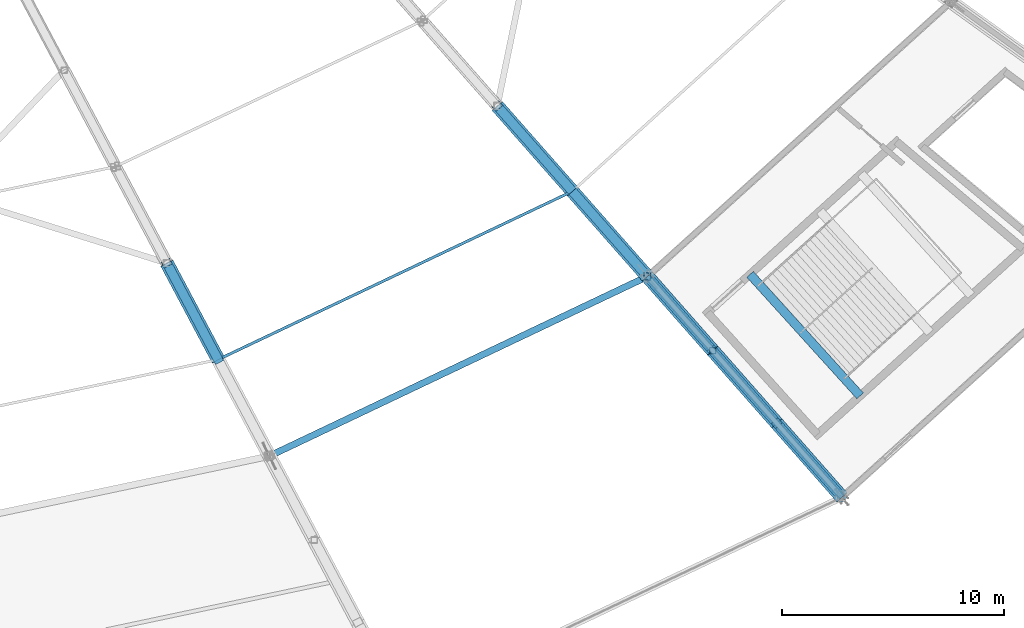
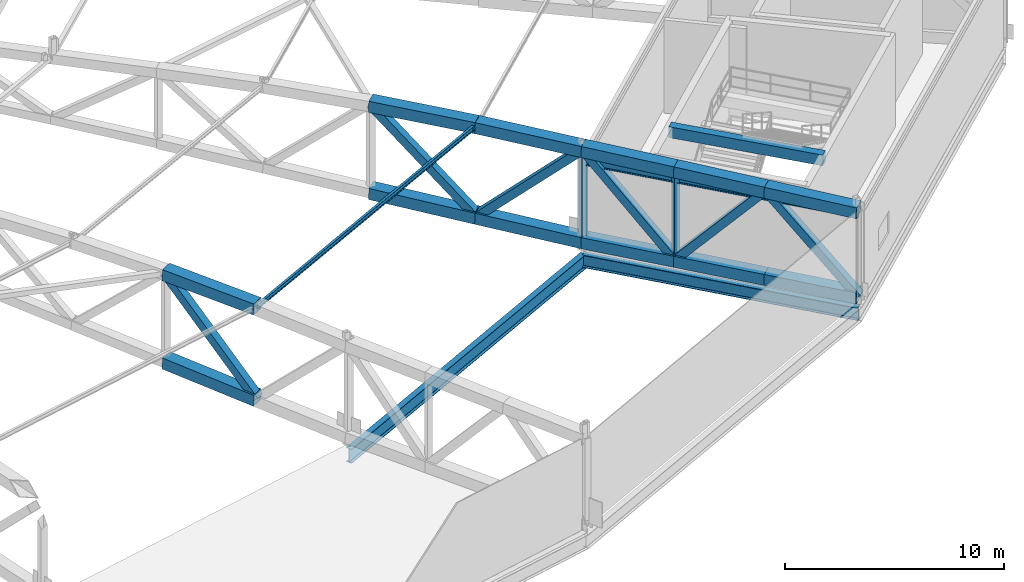
# One storey, part 48 of 162: 21 members, 4 beams.
"""IFC4 building model written with IfcOpenShell, lengths in metres."""

from ifc_helpers import new_model, si_unit, direction, frame, origin, origin_2d, place, context, subcontext, project, spatial, rectangle, hollow_rectangle, i_section, extrude, material, material_profile, profile_set, type_object, element, save


model = new_model("IFC4")

# Units and contexts
model_context = context("Model", 3, precision=1e-05, world=origin(), true_north=direction((0.0, 1.0)))
body_context = subcontext(model_context, "Body", "Model", "MODEL_VIEW")
ifc_project = project(units=[si_unit("LENGTHUNIT", "METRE"), si_unit("AREAUNIT", "SQUARE_METRE"), si_unit("VOLUMEUNIT", "CUBIC_METRE"), si_unit("PLANEANGLEUNIT", "RADIAN"), si_unit("MASSUNIT", "GRAM", prefix="KILO")], contexts=[model_context])

# Site, building, storey
site_placement = place(None, origin())
site = spatial("IfcSite", under=ifc_project, at=site_placement, CompositionType="ELEMENT")
building_placement = place(site_placement, origin())
building = spatial("IfcBuilding", under=site, at=building_placement, Name="Kazemori Nagisa Stadium", CompositionType="ELEMENT")
storey_placement = place(building_placement, frame((0.0, 0.0, 36.719970703125)))
storey = spatial("IfcBuildingStorey", under=building, at=storey_placement, Name="RF", CompositionType="ELEMENT", Elevation=36.719970703125)

# Beams
ifc_material_1 = material(Name="Steel SN490B", Category="steel")
ifc_material_profile_1 = material_profile(ifc_material_1, i_section(OverallWidth=0.199951171875, OverallDepth=0.5, WebThickness=0.010009765625, FlangeThickness=0.01611328125, FilletRadius=0.012939453125, at=origin_2d()), Name="H-500x200x10x16")
ifc_profile_set_1 = profile_set([ifc_material_profile_1], Name="Steel SN490B")
beam_type_1 = type_object("IfcBeamType", Name="Beam_BG-H500", PredefinedType="BEAM", material=ifc_profile_set_1)
beam_1_placement = place(storey_placement, frame((176.834228515625, 40.88916015625, 4.93994140625), z_axis=(0.661019680997, -0.750368563664, 0.0), x_axis=(0.750368563664, 0.661019680997, 0.0)))
element("IfcBeam", 1, at=beam_1_placement, inside=storey, type_object=beam_type_1, Name="Headhouse roof beam BG-H500 B25-radL", PredefinedType="BEAM", context=body_context, shape_type="SweptSolid", body=[
    extrude(i_section(OverallWidth=0.199951171875, OverallDepth=0.5, WebThickness=0.010009765625, FlangeThickness=0.01611328125, FilletRadius=0.012939453125, at=origin_2d()), origin(), (0.0, 0.0, 1.0), 13.2578125),
])
ifc_material_profile_2 = material_profile(ifc_material_1, i_section(OverallWidth=0.300048828125, OverallDepth=0.699951171875, WebThickness=0.012939453125, FlangeThickness=0.02392578125, FilletRadius=0.01806640625, at=origin_2d()), Name="H-700x300x13x24")
ifc_profile_set_2 = profile_set([ifc_material_profile_2], Name="Steel SN490B")
beam_type_2 = type_object("IfcBeamType", Name="Beam_BG-H700", PredefinedType="BEAM", material=ifc_profile_set_2)
beam_2_placement = place(storey_placement, frame((176.834228515625, 40.88916015625, -0.6298828125), z_axis=(0.661019680997, -0.750368563664, 0.0), x_axis=(0.750368563664, 0.661019680997, 0.0)))
element("IfcBeam", 2, at=beam_2_placement, inside=storey, type_object=beam_type_2, Name="Radial girder BG-H700 RF R2-R3-25", PredefinedType="BEAM", context=body_context, shape_type="SweptSolid", body=[
    extrude(i_section(OverallWidth=0.300048828125, OverallDepth=0.699951171875, WebThickness=0.012939453125, FlangeThickness=0.02392578125, FilletRadius=0.01806640625, at=origin_2d()), origin(), (0.0, 0.0, 1.0), 13.2578125),
])
ifc_material_profile_3 = material_profile(ifc_material_1, i_section(OverallWidth=0.300048828125, OverallDepth=0.800048828125, WebThickness=0.013916015625, FlangeThickness=0.02587890625, FilletRadius=0.01806640625, at=origin_2d()), Name="H-800x300x14x26")
ifc_profile_set_3 = profile_set([ifc_material_profile_3], Name="Steel SN490B")
beam_type_3 = type_object("IfcBeamType", Name="Beam_BG-H800", PredefinedType="BEAM", material=ifc_profile_set_3)
beam_3_placement = place(storey_placement, frame((159.81201171875, 32.80078125, -0.679931640625), z_axis=(0.90321938295, 0.42917915404, 0.0), x_axis=(-0.42917915404, 0.90321938295, 0.0)))
element("IfcBeam", 3, at=beam_3_placement, inside=storey, type_object=beam_type_3, Name="Ring girder BG-H800 RF R2-24", PredefinedType="BEAM", context=body_context, shape_type="SweptSolid", body=[
    extrude(i_section(OverallWidth=0.300048828125, OverallDepth=0.800048828125, WebThickness=0.013916015625, FlangeThickness=0.02587890625, FilletRadius=0.01806640625, at=origin_2d()), origin(), (0.0, 0.0, 1.0), 18.84619140625),
])
ifc_material_2 = material(Name="Concrete C40/50 (Fc42)", Category="concrete")
ifc_material_profile_4 = material_profile(ifc_material_2, rectangle(XDim=0.39990234375, YDim=0.60009765625, at=origin_2d()), Name="RC-BM-400x600")
ifc_profile_set_4 = profile_set([ifc_material_profile_4], Name="Concrete C40/50 (Fc42)")
beam_type_4 = type_object("IfcBeamType", Name="Beam_BG-LND400X600", PredefinedType="BEAM", material=ifc_profile_set_4)
beam_4_placement = place(storey_placement, frame((181.456787109375, 40.98681640625, 4.919921875), z_axis=(0.671113236271, -0.74135485707, 0.0), x_axis=(0.74135485707, 0.671113236271, 0.0)))
element("IfcBeam", 4, at=beam_4_placement, inside=storey, type_object=beam_type_4, Name="Core stair arrival header girder ST04-RF", PredefinedType="BEAM", context=body_context, shape_type="SweptSolid", body=[
    extrude(rectangle(XDim=0.39990234375, YDim=0.60009765625, at=origin_2d()), origin(), (0.0, 0.0, 1.0), 7.385986328125),
])

# Members
ifc_material_3 = material(Name="Steel STKR490", Category="steel")
ifc_material_profile_5 = material_profile(ifc_material_3, hollow_rectangle(XDim=0.419921875, YDim=0.419921875, WallThickness=0.01611328125, at=origin_2d()), Name="SHS-420x420x16")
ifc_profile_set_5 = profile_set([ifc_material_profile_5], Name="Steel STKR490")
member_type_1 = type_object("IfcMemberType", Name="Member_TB-SHS420", PredefinedType="BRACE", material=ifc_profile_set_5)
member_1_placement = place(storey_placement, frame((157.50048828125, 37.145751953125, 0.717041015625), z_axis=(-0.323663105371, 0.60848800564, 0.724558169655), x_axis=(-0.882872826789, -0.469612150309, 0.0)))
element("IfcMember", 5, at=member_1_placement, inside=storey, type_object=member_type_1, Name="Roof space truss diagonal RT-24-5", PredefinedType="BRACE", context=body_context, shape_type="SweptSolid", body=[
    extrude(hollow_rectangle(XDim=0.419921875, YDim=0.419921875, WallThickness=0.01611328125, at=origin_2d()), origin(), (0.0, 0.0, 1.0), 7.14111328125),
])
member_2_placement = place(storey_placement, frame((185.597900390625, 30.94091796875, 0.360107421875), z_axis=(-0.444455255531, 0.50453471875, 0.740205541324), x_axis=(-0.750370654853, -0.661017307137, 0.0)))
element("IfcMember", 6, at=member_2_placement, inside=storey, type_object=member_type_1, Name="Roof space truss diagonal RT-25-1", PredefinedType="BRACE", context=body_context, shape_type="SweptSolid", body=[
    extrude(hollow_rectangle(XDim=0.419921875, YDim=0.419921875, WallThickness=0.01611328125, at=origin_2d()), origin(), (0.0, 0.0, 1.0), 6.61962890625),
])
member_3_placement = place(storey_placement, frame((182.65576171875, 34.28076171875, 5.260009765625), z_axis=(-0.443198776891, 0.503136206867, -0.741908890297), x_axis=(-0.750388778691, -0.660996732832, 0.0)))
element("IfcMember", 7, at=member_3_placement, inside=storey, type_object=member_type_1, Name="Roof space truss diagonal RT-25-2", PredefinedType="BRACE", context=body_context, shape_type="SweptSolid", body=[
    extrude(hollow_rectangle(XDim=0.419921875, YDim=0.419921875, WallThickness=0.01611328125, at=origin_2d()), origin(), (0.0, 0.0, 1.0), 6.496826171875),
])
member_4_placement = place(storey_placement, frame((179.7763671875, 37.549560546875, 0.43994140625), z_axis=(-0.43367823745, 0.492264924909, 0.754717450485), x_axis=(-0.750346686278, -0.661044514682, 0.0)))
element("IfcMember", 8, at=member_4_placement, inside=storey, type_object=member_type_1, Name="Roof space truss diagonal RT-25-3", PredefinedType="BRACE", context=body_context, shape_type="SweptSolid", body=[
    extrude(hollow_rectangle(XDim=0.419921875, YDim=0.419921875, WallThickness=0.01611328125, at=origin_2d()), origin(), (0.0, 0.0, 1.0), 6.7841796875),
])
member_5_placement = place(storey_placement, frame((176.834228515625, 40.88916015625, 5.56005859375), z_axis=(-0.479053182072, 0.54382189194, -0.689032509097), x_axis=(-0.750378163683, -0.661008783201, 0.0)))
element("IfcMember", 9, at=member_5_placement, inside=storey, type_object=member_type_1, Name="Roof space truss diagonal RT-25-4", PredefinedType="BRACE", context=body_context, shape_type="SweptSolid", body=[
    extrude(hollow_rectangle(XDim=0.419921875, YDim=0.419921875, WallThickness=0.01611328125, at=origin_2d()), origin(), (0.0, 0.0, 1.0), 7.056396484375),
])
member_6_placement = place(storey_placement, frame((173.453857421875, 44.7265625, 0.697998046875), z_axis=(-0.468522650093, 0.531872191514, 0.705406619082), x_axis=(-0.750380984059, -0.661005581491, 0.0)))
element("IfcMember", 10, at=member_6_placement, inside=storey, type_object=member_type_1, Name="Roof space truss diagonal RT-25-5", PredefinedType="BRACE", context=body_context, shape_type="SweptSolid", body=[
    extrude(hollow_rectangle(XDim=0.419921875, YDim=0.419921875, WallThickness=0.01611328125, at=origin_2d()), origin(), (0.0, 0.0, 1.0), 7.21435546875),
])
ifc_material_profile_6 = material_profile(ifc_material_3, hollow_rectangle(XDim=0.6201171875, YDim=0.6201171875, WallThickness=0.02197265625, at=origin_2d()), Name="SHS-620x620x22")
ifc_profile_set_6 = profile_set([ifc_material_profile_6], Name="Steel STKR490")
member_type_2 = type_object("IfcMemberType", Name="Member_TC-SHS620", PredefinedType="CHORD", material=ifc_profile_set_6)
member_7_placement = place(storey_placement, frame((157.50048828125, 37.145751953125, 5.800048828125), z_axis=(-0.469531784857, 0.882721739398, 0.018499562243), x_axis=(-0.882872826789, -0.469612150309, 0.0)))
element("IfcMember", 11, at=member_7_placement, inside=storey, type_object=member_type_2, Name="Roof space truss top chord RT-24-5", PredefinedType="CHORD", context=body_context, shape_type="SweptSolid", body=[
    extrude(hollow_rectangle(XDim=0.6201171875, YDim=0.6201171875, WallThickness=0.02197265625, at=origin_2d()), origin(), (0.0, 0.0, 1.0), 4.922607421875),
])
member_8_placement = place(storey_placement, frame((157.50048828125, 37.145751953125, 0.717041015625), z_axis=(-0.468977647819, 0.881679959427, 0.05196551733), x_axis=(-0.882872826789, -0.469612150309, 0.0)))
element("IfcMember", 12, at=member_8_placement, inside=storey, type_object=member_type_2, Name="Roof space truss bottom chord RT-24-5", PredefinedType="CHORD", context=body_context, shape_type="SweptSolid", body=[
    extrude(hollow_rectangle(XDim=0.6201171875, YDim=0.6201171875, WallThickness=0.02197265625, at=origin_2d()), origin(), (0.0, 0.0, 1.0), 4.92822265625),
])
member_9_placement = place(storey_placement, frame((185.597900390625, 30.94091796875, 5.10009765625), z_axis=(-0.660591096065, 0.749886830484, 0.03590466915), x_axis=(-0.750370654853, -0.661017307137, 0.0)))
element("IfcMember", 13, at=member_9_placement, inside=storey, type_object=member_type_2, Name="Roof space truss top chord RT-25-1", PredefinedType="CHORD", context=body_context, shape_type="SweptSolid", body=[
    extrude(hollow_rectangle(XDim=0.6201171875, YDim=0.6201171875, WallThickness=0.02197265625, at=origin_2d()), origin(), (0.0, 0.0, 1.0), 4.453857421875),
])
member_10_placement = place(storey_placement, frame((185.597900390625, 30.94091796875, 0.360107421875), z_axis=(-0.660990563304, 0.750340295908, 0.008995307641), x_axis=(-0.750370654853, -0.661017307137, 0.0)))
element("IfcMember", 14, at=member_10_placement, inside=storey, type_object=member_type_2, Name="Roof space truss bottom chord RT-25-1", PredefinedType="CHORD", context=body_context, shape_type="SweptSolid", body=[
    extrude(hollow_rectangle(XDim=0.6201171875, YDim=0.6201171875, WallThickness=0.02197265625, at=origin_2d()), origin(), (0.0, 0.0, 1.0), 4.451171875),
])
member_11_placement = place(storey_placement, frame((182.65576171875, 34.28076171875, 5.260009765625), z_axis=(-0.660551804944, 0.749883679532, 0.036684876398), x_axis=(-0.750388778691, -0.660996732832, 0.0)))
element("IfcMember", 15, at=member_11_placement, inside=storey, type_object=member_type_2, Name="Roof space truss top chord RT-25-2", PredefinedType="CHORD", context=body_context, shape_type="SweptSolid", body=[
    extrude(hollow_rectangle(XDim=0.6201171875, YDim=0.6201171875, WallThickness=0.02197265625, at=origin_2d()), origin(), (0.0, 0.0, 1.0), 4.359130859375),
])
member_12_placement = place(storey_placement, frame((182.65576171875, 34.28076171875, 0.400146484375), z_axis=(-0.660969152866, 0.750357468859, 0.009134981509), x_axis=(-0.750388778691, -0.660996732832, 0.0)))
element("IfcMember", 16, at=member_12_placement, inside=storey, type_object=member_type_2, Name="Roof space truss bottom chord RT-25-2", PredefinedType="CHORD", context=body_context, shape_type="SweptSolid", body=[
    extrude(hollow_rectangle(XDim=0.6201171875, YDim=0.6201171875, WallThickness=0.02197265625, at=origin_2d()), origin(), (0.0, 0.0, 1.0), 4.356201171875),
])
member_13_placement = place(storey_placement, frame((179.7763671875, 37.549560546875, 5.419921875), z_axis=(-0.660717085813, 0.749975024217, 0.031470550764), x_axis=(-0.750346686278, -0.661044514682, 0.0)))
element("IfcMember", 17, at=member_13_placement, inside=storey, type_object=member_type_2, Name="Roof space truss top chord RT-25-3", PredefinedType="CHORD", context=body_context, shape_type="SweptSolid", body=[
    extrude(hollow_rectangle(XDim=0.6201171875, YDim=0.6201171875, WallThickness=0.02197265625, at=origin_2d()), origin(), (0.0, 0.0, 1.0), 4.452880859375),
])
member_14_placement = place(storey_placement, frame((179.7763671875, 37.549560546875, 0.43994140625), z_axis=(-0.661017767546, 0.750316325804, 0.008995677859), x_axis=(-0.750346686278, -0.661044514682, 0.0)))
element("IfcMember", 18, at=member_14_placement, inside=storey, type_object=member_type_2, Name="Roof space truss bottom chord RT-25-3", PredefinedType="CHORD", context=body_context, shape_type="SweptSolid", body=[
    extrude(hollow_rectangle(XDim=0.6201171875, YDim=0.6201171875, WallThickness=0.02197265625, at=origin_2d()), origin(), (0.0, 0.0, 1.0), 4.450927734375),
])
member_15_placement = place(storey_placement, frame((176.834228515625, 40.88916015625, 5.56005859375), z_axis=(-0.660586610197, 0.749898912255, 0.035734462736), x_axis=(-0.750378163683, -0.661008783201, 0.0)))
element("IfcMember", 19, at=member_15_placement, inside=storey, type_object=member_type_2, Name="Roof space truss top chord RT-25-4", PredefinedType="CHORD", context=body_context, shape_type="SweptSolid", body=[
    extrude(hollow_rectangle(XDim=0.6201171875, YDim=0.6201171875, WallThickness=0.02197265625, at=origin_2d()), origin(), (0.0, 0.0, 1.0), 5.1171875),
])
member_16_placement = place(storey_placement, frame((176.834228515625, 40.88916015625, 0.47998046875), z_axis=(-0.660408916905, 0.749697194563, 0.04259317946), x_axis=(-0.750378163683, -0.661008783201, 0.0)))
element("IfcMember", 20, at=member_16_placement, inside=storey, type_object=member_type_2, Name="Roof space truss bottom chord RT-25-4", PredefinedType="CHORD", context=body_context, shape_type="SweptSolid", body=[
    extrude(hollow_rectangle(XDim=0.6201171875, YDim=0.6201171875, WallThickness=0.02197265625, at=origin_2d()), origin(), (0.0, 0.0, 1.0), 5.11865234375),
])
member_17_placement = place(storey_placement, frame((173.453857421875, 44.7265625, 5.742919921875), z_axis=(-0.660980902222, 0.750352967875, 0.008641209339), x_axis=(-0.750380984059, -0.661005581491, 0.0)))
element("IfcMember", 21, at=member_17_placement, inside=storey, type_object=member_type_2, Name="Roof space truss top chord RT-25-5", PredefinedType="CHORD", context=body_context, shape_type="SweptSolid", body=[
    extrude(hollow_rectangle(XDim=0.6201171875, YDim=0.6201171875, WallThickness=0.02197265625, at=origin_2d()), origin(), (0.0, 0.0, 1.0), 5.11376953125),
])
member_18_placement = place(storey_placement, frame((173.453857421875, 44.7265625, 0.697998046875), z_axis=(-0.660296430693, 0.749575948083, 0.046308980441), x_axis=(-0.750380984059, -0.661005581491, 0.0)))
element("IfcMember", 22, at=member_18_placement, inside=storey, type_object=member_type_2, Name="Roof space truss bottom chord RT-25-5", PredefinedType="CHORD", context=body_context, shape_type="SweptSolid", body=[
    extrude(hollow_rectangle(XDim=0.6201171875, YDim=0.6201171875, WallThickness=0.02197265625, at=origin_2d()), origin(), (0.0, 0.0, 1.0), 5.119140625),
])
ifc_material_profile_7 = material_profile(ifc_material_1, i_section(OverallWidth=0.125, OverallDepth=0.25, WebThickness=0.006103515625, FlangeThickness=0.009033203125, FilletRadius=0.008056640625, at=origin_2d()), Name="H-250x125x6x9")
ifc_profile_set_7 = profile_set([ifc_material_profile_7], Name="Steel SN490B")
member_type_3 = type_object("IfcMemberType", Name="Member_TP-H250", PredefinedType="PURLIN", material=ifc_profile_set_7)
member_19_placement = place(storey_placement, frame((157.50048828125, 37.145751953125, 5.800048828125), z_axis=(0.903207817218, 0.429191306641, -0.003234381043), x_axis=(-0.429193551591, 0.903212541583, 0.0)))
element("IfcMember", 23, at=member_19_placement, inside=storey, type_object=member_type_3, Name="Roof purlin TP-H250 B24-P4", PredefinedType="PURLIN", context=body_context, shape_type="SweptSolid", body=[
    extrude(i_section(OverallWidth=0.125, OverallDepth=0.25, WebThickness=0.006103515625, FlangeThickness=0.009033203125, FilletRadius=0.008056640625, at=origin_2d()), origin(), (0.0, 0.0, 1.0), 17.6630859375),
])
ifc_material_profile_8 = material_profile(ifc_material_3, hollow_rectangle(XDim=0.280029296875, YDim=0.280029296875, WallThickness=0.010009765625, at=origin_2d()), Name="SHS-280x280x10")
ifc_profile_set_8 = profile_set([ifc_material_profile_8], Name="Steel STKR490")
member_type_4 = type_object("IfcMemberType", Name="Member_TS-SHS280", PredefinedType="STRUT", material=ifc_profile_set_8)
member_20_placement = place(storey_placement, frame((179.7763671875, 37.549560546875, 0.43994140625), z_axis=(0.0, 0.0, 1.0), x_axis=(1.0, 0.0, 0.0)))
element("IfcMember", 24, at=member_20_placement, inside=storey, type_object=member_type_4, Name="Roof space truss strut RT-25-3", PredefinedType="STRUT", context=body_context, shape_type="SweptSolid", body=[
    extrude(hollow_rectangle(XDim=0.280029296875, YDim=0.280029296875, WallThickness=0.010009765625, at=origin_2d()), origin(), (0.0, 0.0, 1.0), 4.97998046875),
])
ifc_material_profile_9 = material_profile(ifc_material_3, hollow_rectangle(XDim=0.320068359375, YDim=0.320068359375, WallThickness=0.011962890625, at=origin_2d()), Name="SHS-320x320x12")
ifc_profile_set_9 = profile_set([ifc_material_profile_9], Name="Steel STKR490")
member_type_5 = type_object("IfcMemberType", Name="Member_TS-SHS320", PredefinedType="STRUT", material=ifc_profile_set_9)
member_21_placement = place(storey_placement, frame((176.834228515625, 40.88916015625, 0.47998046875), z_axis=(0.0, 0.0, 1.0), x_axis=(1.0, 0.0, 0.0)))
element("IfcMember", 25, at=member_21_placement, inside=storey, type_object=member_type_5, Name="Roof space truss strut RT-25-4", PredefinedType="STRUT", context=body_context, shape_type="SweptSolid", body=[
    extrude(hollow_rectangle(XDim=0.320068359375, YDim=0.320068359375, WallThickness=0.011962890625, at=origin_2d()), origin(), (0.0, 0.0, 1.0), 5.080078125),
])

save(model, "model.ifc")
